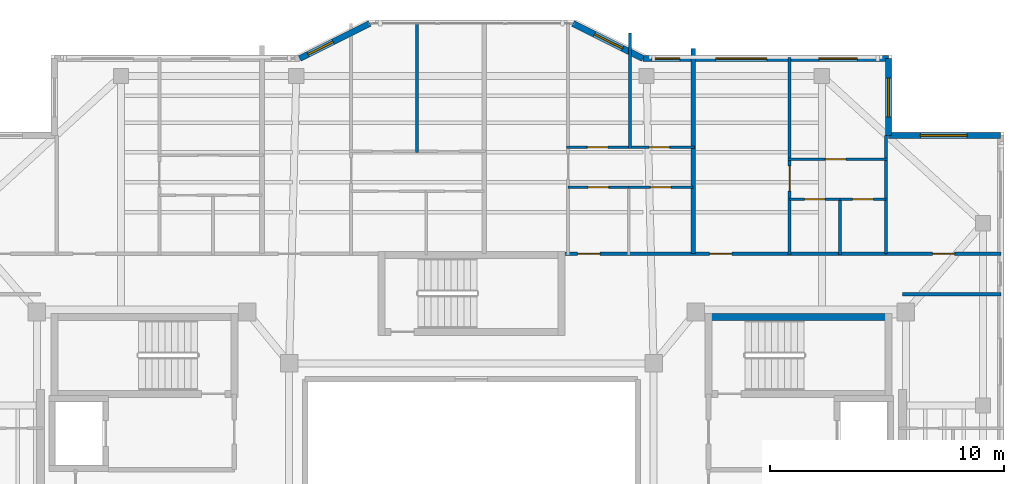
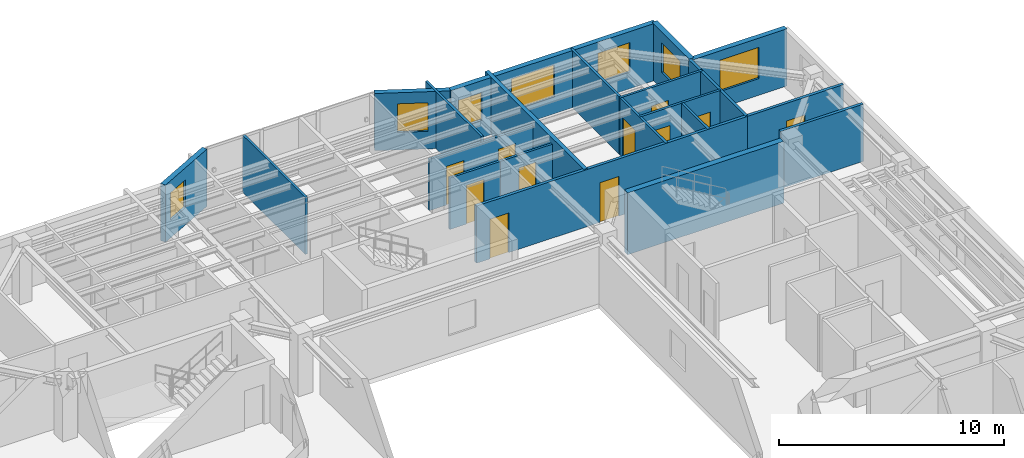
# One storey, part 11 of 15: 21 walls, 11 doors, 7 windows, 18 openings.
"""IFC4 building model written with IfcOpenShell, lengths in metres."""

from ifc_helpers import new_model, si_unit, direction, frame, frame_2d, origin, place, context, subcontext, project, spatial, rectangle, extrude, material, layer, layer_set, type_object, element, fill, save


model = new_model("IFC4")

# Units and contexts
model_context = context("Model", 3, precision=1e-05, world=origin(), true_north=direction((0.0, 1.0)))
body_context = subcontext(model_context, "Body", "Model", "MODEL_VIEW")
ifc_project = project(units=[si_unit("LENGTHUNIT", "METRE"), si_unit("AREAUNIT", "SQUARE_METRE"), si_unit("VOLUMEUNIT", "CUBIC_METRE"), si_unit("PLANEANGLEUNIT", "RADIAN"), si_unit("MASSUNIT", "GRAM", prefix="KILO")], contexts=[model_context])

# Site, building, storey
site_placement = place(None, origin())
site = spatial("IfcSite", under=ifc_project, at=site_placement, CompositionType="ELEMENT")
building_placement = place(site_placement, origin())
building = spatial("IfcBuilding", under=site, at=building_placement, Name="Tarnavaz Court Tower", CompositionType="ELEMENT")
storey_placement = place(building_placement, frame((0.0, 0.0, 244.85009765625)))
storey = spatial("IfcBuildingStorey", under=building, at=storey_placement, Name="L66", CompositionType="ELEMENT", Elevation=244.85009765625)

# Wall
ifc_material_1 = material(Name="Concrete C50/60", Category="concrete")
ifc_layer_1 = layer(ifc_material_1, 0.300048828125)
ifc_layer_set_1 = layer_set([ifc_layer_1], Name="Concrete C50/60")
wall_type_1 = type_object("IfcWallType", Name="WL-CORE-300-C50", PredefinedType="SHEAR", material=ifc_layer_set_1)
wall_1_placement = place(storey_placement, frame((10.0, 9.7900390625, 0.0), z_axis=(0.0, 0.0, 1.0), x_axis=(1.0, 0.0, 0.0)))
element("IfcWall", 1, at=wall_1_placement, inside=storey, type_object=wall_type_1, Name="L66 East Stair Core Wall 005", PredefinedType="SHEAR", context=body_context, shape_type="SweptSolid", body=[
    extrude(rectangle(XDim=8.0, YDim=0.300048828125, at=frame_2d((4.0, 0.0))), origin(), (0.0, 0.0, 1.0), 3.349853515625),
])

# Wall, opening, window
ifc_material_2 = material(Name="Precast Concrete C40/50", Category="concrete")
ifc_layer_2 = layer(ifc_material_2, 0.260009765625)
ifc_layer_set_2 = layer_set([ifc_layer_2], Name="Precast Concrete C40/50")
wall_type_2 = type_object("IfcWallType", Name="WL-EXT-260", PredefinedType="SOLIDWALL", material=ifc_layer_set_2)
wall_2_placement = place(storey_placement, frame((-7.35009765625, 20.85009765625, 0.0), z_axis=(0.0, 0.0, 1.0), x_axis=(0.894427191, 0.4472135955, 0.0)))
wall_2 = element("IfcWall", 2, at=wall_2_placement, inside=storey, type_object=wall_type_2, Name="L66 Exterior Terracotta Facade Wall 06", PredefinedType="SOLIDWALL", context=body_context, shape_type="SweptSolid", body=[
    extrude(rectangle(XDim=3.35400390625, YDim=0.260009765625, at=frame_2d((1.677001953125, 0.0))), origin(), (0.0, 0.0, 1.0), 3.099853515625),
])
opening_1_placement = place(wall_2_placement, frame((0.401123046875, 0.0, 0.949951171875)))
opening_1 = element("IfcOpeningElement", 3, at=opening_1_placement, cuts=wall_2, Name="Opening W05", PredefinedType="OPENING", context=body_context, shape_type="SweptSolid", body=[
    extrude(rectangle(XDim=1.199951171875, YDim=1.5, at=frame_2d((0.60009765625, 0.75))), frame((0.0, 0.139892578125, 0.0), z_axis=(0.0, -1.0, 0.0), x_axis=(1.0, 0.0, 0.0)), (0.0, 0.0, 1.0), 0.280029296875),
])
ifc_material_3 = material(Name="Double-Glazed Solar Low-E Glass", Category="glass")
window_type_1 = type_object("IfcWindowType", Name="WN-APT-1200", PartitioningType="SINGLE_PANEL", PredefinedType="WINDOW", material=ifc_material_3)
window_1_placement = place(opening_1_placement, origin())
window_1 = element("IfcWindow", 4, at=window_1_placement, inside=storey, type_object=window_type_1, Name="L66 Flat 02 Living and Dining Room Window", OverallHeight=1.5, OverallWidth=1.199951171875, PartitioningType="SINGLE_PANEL", PredefinedType="WINDOW", context=body_context, shape_type="SweptSolid", body=[
    extrude(rectangle(XDim=1.199951171875, YDim=1.5, at=frame_2d((0.60009765625, 0.75))), frame((0.0, 0.030029296875, 0.0), z_axis=(0.0, -1.0, 0.0), x_axis=(1.0, 0.0, 0.0)), (0.0, 0.0, 1.0), 0.06005859375),
])
fill(opening_1, window_1)

wall_3_placement = place(storey_placement, frame((4.35009765625, 22.35009765625, 0.0), z_axis=(0.0, 0.0, 1.0), x_axis=(0.894427191, -0.4472135955, 0.0)))
wall_3 = element("IfcWall", 5, at=wall_3_placement, inside=storey, type_object=wall_type_2, Name="L66 Exterior Terracotta Facade Wall 08", PredefinedType="SOLIDWALL", context=body_context, shape_type="SweptSolid", body=[
    extrude(rectangle(XDim=3.35400390625, YDim=0.260009765625, at=frame_2d((1.677001953125, 0.0))), origin(), (0.0, 0.0, 1.0), 3.099853515625),
])
opening_2_placement = place(wall_3_placement, frame((1.027099609375, 0.0, 0.949951171875)))
opening_2 = element("IfcOpeningElement", 6, at=opening_2_placement, cuts=wall_3, Name="Opening W04", PredefinedType="OPENING", context=body_context, shape_type="SweptSolid", body=[
    extrude(rectangle(XDim=1.35009765625, YDim=1.550048828125, at=frame_2d((0.675048828125, 0.77490234375))), frame((0.0, 0.139892578125, 0.0), z_axis=(0.0, -1.0, 0.0), x_axis=(1.0, 0.0, 0.0)), (0.0, 0.0, 1.0), 0.280029296875),
])
window_type_2 = type_object("IfcWindowType", Name="WN-APT-1350", PartitioningType="SINGLE_PANEL", PredefinedType="WINDOW", material=ifc_material_3)
window_2_placement = place(opening_2_placement, origin())
window_2 = element("IfcWindow", 7, at=window_2_placement, inside=storey, type_object=window_type_2, Name="L66 Flat 03 Principal Bedroom Window", OverallHeight=1.550048828125, OverallWidth=1.35009765625, PartitioningType="SINGLE_PANEL", PredefinedType="WINDOW", context=body_context, shape_type="SweptSolid", body=[
    extrude(rectangle(XDim=1.35009765625, YDim=1.550048828125, at=frame_2d((0.675048828125, 0.77490234375))), frame((0.0, 0.030029296875, 0.0), z_axis=(0.0, -1.0, 0.0), x_axis=(1.0, 0.0, 0.0)), (0.0, 0.0, 1.0), 0.06005859375),
])
fill(opening_2, window_2)

# Wall, openings, windows
wall_4_placement = place(storey_placement, frame((7.35009765625, 20.85009765625, 0.0), z_axis=(0.0, 0.0, 1.0), x_axis=(1.0, 0.0, 0.0)))
wall_4 = element("IfcWall", 8, at=wall_4_placement, inside=storey, type_object=wall_type_2, Name="L66 Exterior Terracotta Facade Wall 09", PredefinedType="SOLIDWALL", context=body_context, shape_type="SweptSolid", body=[
    extrude(rectangle(XDim=10.5, YDim=0.260009765625, at=frame_2d((5.25, 0.0))), origin(), (0.0, 0.0, 1.0), 3.099853515625),
])
opening_3_placement = place(wall_4_placement, frame((0.3720703125, 0.0, 0.949951171875)))
opening_3 = element("IfcOpeningElement", 9, at=opening_3_placement, cuts=wall_4, Name="Opening W05", PredefinedType="OPENING", context=body_context, shape_type="SweptSolid", body=[
    extrude(rectangle(XDim=1.199951171875, YDim=1.5, at=frame_2d((0.60009765625, 0.75))), frame((0.0, 0.139892578125, 0.0), z_axis=(0.0, -1.0, 0.0), x_axis=(1.0, 0.0, 0.0)), (0.0, 0.0, 1.0), 0.280029296875),
])
opening_4_placement = place(wall_4_placement, frame((3.10009765625, 0.0, 0.89990234375)))
opening_4 = element("IfcOpeningElement", 10, at=opening_4_placement, cuts=wall_4, Name="Opening W07", PredefinedType="OPENING", context=body_context, shape_type="SweptSolid", body=[
    extrude(rectangle(XDim=2.199951171875, YDim=1.75, at=frame_2d((1.10009765625, 0.875))), frame((0.0, 0.139892578125, 0.0), z_axis=(0.0, -1.0, 0.0), x_axis=(1.0, 0.0, 0.0)), (0.0, 0.0, 1.0), 0.280029296875),
])
opening_5_placement = place(wall_4_placement, frame((7.52490234375, 0.0, 0.89990234375)))
opening_5 = element("IfcOpeningElement", 11, at=opening_5_placement, cuts=wall_4, Name="Opening W02", PredefinedType="OPENING", context=body_context, shape_type="SweptSolid", body=[
    extrude(rectangle(XDim=1.64990234375, YDim=1.60009765625, at=frame_2d((0.824951171875, 0.800048828125))), frame((0.0, 0.139892578125, 0.0), z_axis=(0.0, -1.0, 0.0), x_axis=(1.0, 0.0, 0.0)), (0.0, 0.0, 1.0), 0.280029296875),
])
window_3_placement = place(opening_3_placement, origin())
window_3 = element("IfcWindow", 12, at=window_3_placement, inside=storey, type_object=window_type_1, Name="L66 Flat 03 Bedroom 2 Window", OverallHeight=1.5, OverallWidth=1.199951171875, PartitioningType="SINGLE_PANEL", PredefinedType="WINDOW", context=body_context, shape_type="SweptSolid", body=[
    extrude(rectangle(XDim=1.199951171875, YDim=1.5, at=frame_2d((0.60009765625, 0.75))), frame((0.0, 0.030029296875, 0.0), z_axis=(0.0, -1.0, 0.0), x_axis=(1.0, 0.0, 0.0)), (0.0, 0.0, 1.0), 0.06005859375),
])
fill(opening_3, window_3)
window_type_3 = type_object("IfcWindowType", Name="WN-APT-1650", PartitioningType="DOUBLE_PANEL_VERTICAL", PredefinedType="WINDOW", material=ifc_material_3)
window_4_placement = place(opening_5_placement, origin())
window_4 = element("IfcWindow", 13, at=window_4_placement, inside=storey, type_object=window_type_3, Name="L66 Flat 04 Bedroom 1 Window", OverallHeight=1.60009765625, OverallWidth=1.64990234375, PartitioningType="SINGLE_PANEL", PredefinedType="WINDOW", context=body_context, shape_type="SweptSolid", body=[
    extrude(rectangle(XDim=1.64990234375, YDim=1.60009765625, at=frame_2d((0.824951171875, 0.800048828125))), frame((0.0, 0.030029296875, 0.0), z_axis=(0.0, -1.0, 0.0), x_axis=(1.0, 0.0, 0.0)), (0.0, 0.0, 1.0), 0.06005859375),
])
fill(opening_5, window_4)
window_type_4 = type_object("IfcWindowType", Name="WN-APT-2200", PartitioningType="TRIPLE_PANEL_VERTICAL", PredefinedType="WINDOW", material=ifc_material_3)
window_5_placement = place(opening_4_placement, origin())
window_5 = element("IfcWindow", 14, at=window_5_placement, inside=storey, type_object=window_type_4, Name="L66 Flat 04 Living and Dining Room Window", OverallHeight=1.75, OverallWidth=2.199951171875, PartitioningType="SINGLE_PANEL", PredefinedType="WINDOW", context=body_context, shape_type="SweptSolid", body=[
    extrude(rectangle(XDim=2.199951171875, YDim=1.75, at=frame_2d((1.10009765625, 0.875))), frame((0.0, 0.030029296875, 0.0), z_axis=(0.0, -1.0, 0.0), x_axis=(1.0, 0.0, 0.0)), (0.0, 0.0, 1.0), 0.06005859375),
])
fill(opening_4, window_5)

# Wall, opening, window
wall_5_placement = place(storey_placement, frame((17.85009765625, 20.85009765625, 0.0), z_axis=(0.0, 0.0, 1.0), x_axis=(0.0, -1.0, 0.0)))
wall_5 = element("IfcWall", 15, at=wall_5_placement, inside=storey, type_object=wall_type_2, Name="L66 Exterior Terracotta Facade Wall 10", PredefinedType="SOLIDWALL", context=body_context, shape_type="SweptSolid", body=[
    extrude(rectangle(XDim=3.300048828125, YDim=0.260009765625, at=frame_2d((1.64990234375, 0.0))), origin(), (0.0, 0.0, 1.0), 3.099853515625),
])
opening_6_placement = place(wall_5_placement, frame((0.842529296875, 0.0, 0.89990234375)))
opening_6 = element("IfcOpeningElement", 16, at=opening_6_placement, cuts=wall_5, Name="Opening W02", PredefinedType="OPENING", context=body_context, shape_type="SweptSolid", body=[
    extrude(rectangle(XDim=1.64990234375, YDim=1.60009765625, at=frame_2d((0.824951171875, 0.800048828125))), frame((0.0, 0.139892578125, 0.0), z_axis=(0.0, -1.0, 0.0), x_axis=(1.0, 0.0, 0.0)), (0.0, 0.0, 1.0), 0.280029296875),
])
window_6_placement = place(opening_6_placement, origin())
window_6 = element("IfcWindow", 17, at=window_6_placement, inside=storey, type_object=window_type_3, Name="L66 Flat 04 Bedroom 1 Window", OverallHeight=1.60009765625, OverallWidth=1.64990234375, PartitioningType="SINGLE_PANEL", PredefinedType="WINDOW", context=body_context, shape_type="SweptSolid", body=[
    extrude(rectangle(XDim=1.64990234375, YDim=1.60009765625, at=frame_2d((0.824951171875, 0.800048828125))), frame((0.0, 0.030029296875, 0.0), z_axis=(0.0, -1.0, 0.0), x_axis=(1.0, 0.0, 0.0)), (0.0, 0.0, 1.0), 0.06005859375),
])
fill(opening_6, window_6)

wall_6_placement = place(storey_placement, frame((17.85009765625, 17.550048828125, 0.0), z_axis=(0.0, 0.0, 1.0), x_axis=(1.0, 0.0, 0.0)))
wall_6 = element("IfcWall", 18, at=wall_6_placement, inside=storey, type_object=wall_type_2, Name="L66 Exterior Terracotta Facade Wall 11", PredefinedType="SOLIDWALL", context=body_context, shape_type="SweptSolid", body=[
    extrude(rectangle(XDim=4.7998046875, YDim=0.260009765625, at=frame_2d((2.39990234375, 0.0))), origin(), (0.0, 0.0, 1.0), 3.099853515625),
])
opening_7_placement = place(wall_6_placement, frame((1.374755859375, 0.0, 0.89990234375)))
opening_7 = element("IfcOpeningElement", 19, at=opening_7_placement, cuts=wall_6, Name="Opening W08", PredefinedType="OPENING", context=body_context, shape_type="SweptSolid", body=[
    extrude(rectangle(XDim=2.0, YDim=1.699951171875, at=frame_2d((1.0, 0.85009765625))), frame((0.0, 0.139892578125, 0.0), z_axis=(0.0, -1.0, 0.0), x_axis=(1.0, 0.0, 0.0)), (0.0, 0.0, 1.0), 0.280029296875),
])
window_type_5 = type_object("IfcWindowType", Name="WN-APT-2000", PartitioningType="DOUBLE_PANEL_VERTICAL", PredefinedType="WINDOW", material=ifc_material_3)
window_7_placement = place(opening_7_placement, origin())
window_7 = element("IfcWindow", 20, at=window_7_placement, inside=storey, type_object=window_type_5, Name="L66 North-East Corner Sunroom Study Window", OverallHeight=1.699951171875, OverallWidth=2.0, PartitioningType="SINGLE_PANEL", PredefinedType="WINDOW", context=body_context, shape_type="SweptSolid", body=[
    extrude(rectangle(XDim=2.0, YDim=1.699951171875, at=frame_2d((1.0, 0.85009765625))), frame((0.0, 0.030029296875, 0.0), z_axis=(0.0, -1.0, 0.0), x_axis=(1.0, 0.0, 0.0)), (0.0, 0.0, 1.0), 0.06005859375),
])
fill(opening_7, window_7)

# Wall, openings, doors
ifc_material_4 = material(Name="Gypsum Fire-Board on Acoustic Metal Stud", Category="masonry")
ifc_layer_3 = layer(ifc_material_4, 0.14990234375)
ifc_layer_set_3 = layer_set([ifc_layer_3], Name="Gypsum Fire-Board on Acoustic Metal Stud")
wall_type_3 = type_object("IfcWallType", Name="WL-FIRE-150", PredefinedType="PARTITIONING", material=ifc_layer_set_3)
wall_7_placement = place(storey_placement, frame((3.85009765625, 12.5, 0.0), z_axis=(0.0, 0.0, 1.0), x_axis=(1.0, 0.0, 0.0)))
wall_7 = element("IfcWall", 21, at=wall_7_placement, inside=storey, type_object=wall_type_3, Name="L66 NE Wing Corridor Wall 058", PredefinedType="PARTITIONING", context=body_context, shape_type="SweptSolid", body=[
    extrude(rectangle(XDim=13.89990234375, YDim=0.14990234375, at=frame_2d((6.949951171875, 0.0))), origin(), (0.0, 0.0, 1.0), 3.099853515625),
])
opening_8_placement = place(wall_7_placement, frame((0.699951171875, 0.0, 0.0)))
opening_8 = element("IfcOpeningElement", 22, at=opening_8_placement, cuts=wall_7, Name="Opening D06", PredefinedType="OPENING", context=body_context, shape_type="SweptSolid", body=[
    extrude(rectangle(XDim=0.9599609375, YDim=2.14990234375, at=frame_2d((0.47998046875, 1.074951171875))), frame((0.0, 0.0849609375, 0.0), z_axis=(0.0, -1.0, 0.0), x_axis=(1.0, 0.0, 0.0)), (0.0, 0.0, 1.0), 0.169921875),
])
opening_9_placement = place(wall_7_placement, frame((6.343994140625, 0.0, 0.0)))
opening_9 = element("IfcOpeningElement", 23, at=opening_9_placement, cuts=wall_7, Name="Opening D06", PredefinedType="OPENING", context=body_context, shape_type="SweptSolid", body=[
    extrude(rectangle(XDim=0.9599609375, YDim=2.14990234375, at=frame_2d((0.47998046875, 1.074951171875))), frame((0.0, 0.0849609375, 0.0), z_axis=(0.0, -1.0, 0.0), x_axis=(1.0, 0.0, 0.0)), (0.0, 0.0, 1.0), 0.169921875),
])
ifc_material_5 = material(Name="Fire-Rated Hardwood Timber Core", Category="wood")
door_type_1 = type_object("IfcDoorType", Name="DR-FD60-950", OperationType="NOTDEFINED", PredefinedType="DOOR", material=ifc_material_5)
door_1_placement = place(opening_8_placement, origin())
door_1 = element("IfcDoor", 24, at=door_1_placement, inside=storey, type_object=door_type_1, Name="L66 Flat 03 Entrance Door", OperationType="SINGLE_SWING_RIGHT", OverallHeight=2.14990234375, OverallWidth=0.9599609375, PredefinedType="DOOR", context=body_context, shape_type="SweptSolid", body=[
    extrude(rectangle(XDim=0.9599609375, YDim=2.14990234375, at=frame_2d((0.47998046875, 1.074951171875))), frame((0.0, 0.02490234375, 0.0), z_axis=(0.0, -1.0, 0.0), x_axis=(1.0, 0.0, 0.0)), (0.0, 0.0, 1.0), 0.050048828125),
])
fill(opening_8, door_1)
door_2_placement = place(opening_9_placement, origin())
door_2 = element("IfcDoor", 25, at=door_2_placement, inside=storey, type_object=door_type_1, Name="L66 Flat 04 Entrance Door", OperationType="SINGLE_SWING_RIGHT", OverallHeight=2.14990234375, OverallWidth=0.9599609375, PredefinedType="DOOR", context=body_context, shape_type="SweptSolid", body=[
    extrude(rectangle(XDim=0.9599609375, YDim=2.14990234375, at=frame_2d((0.47998046875, 1.074951171875))), frame((0.0, 0.02490234375, 0.0), z_axis=(0.0, -1.0, 0.0), x_axis=(1.0, 0.0, 0.0)), (0.0, 0.0, 1.0), 0.050048828125),
])
fill(opening_9, door_2)

# Wall
wall_8_placement = place(storey_placement, frame((18.449951171875, 10.75, 0.0), z_axis=(0.0, 0.0, 1.0), x_axis=(1.0, 0.0, 0.0)))
element("IfcWall", 26, at=wall_8_placement, inside=storey, type_object=wall_type_3, Name="L66 Interior Partition 111", PredefinedType="PARTITIONING", context=body_context, shape_type="SweptSolid", body=[
    extrude(rectangle(XDim=4.22998046875, YDim=0.14990234375, at=frame_2d((2.114990234375, 0.0))), origin(), (0.0, 0.0, 1.0), 3.099853515625),
])

# Wall, opening, door
wall_9_placement = place(storey_placement, frame((17.75, 12.5, 0.0), z_axis=(0.0, 0.0, 1.0), x_axis=(1.0, 0.0, 0.0)))
wall_9 = element("IfcWall", 27, at=wall_9_placement, inside=storey, type_object=wall_type_3, Name="L66 Interior Partition 117", PredefinedType="PARTITIONING", context=body_context, shape_type="SweptSolid", body=[
    extrude(rectangle(XDim=4.929931640625, YDim=0.14990234375, at=frame_2d((2.46484375, 0.0))), origin(), (0.0, 0.0, 1.0), 3.099853515625),
])
opening_10_placement = place(wall_9_placement, frame((1.989990234375, 0.0, 0.0)))
opening_10 = element("IfcOpeningElement", 28, at=opening_10_placement, cuts=wall_9, Name="Opening D13", PredefinedType="OPENING", context=body_context, shape_type="SweptSolid", body=[
    extrude(rectangle(XDim=0.949951171875, YDim=2.14990234375, at=frame_2d((0.47509765625, 1.074951171875))), frame((0.0, 0.0849609375, 0.0), z_axis=(0.0, -1.0, 0.0), x_axis=(1.0, 0.0, 0.0)), (0.0, 0.0, 1.0), 0.169921875),
])
ifc_material_6 = material(Name="Engineered Oak Timber", Category="wood")
door_type_2 = type_object("IfcDoorType", Name="DR-INT-950", OperationType="NOTDEFINED", PredefinedType="DOOR", material=ifc_material_6)
door_3_placement = place(opening_10_placement, origin())
door_3 = element("IfcDoor", 29, at=door_3_placement, inside=storey, type_object=door_type_2, Name="L66 NE Sunroom Door", OperationType="SINGLE_SWING_LEFT", OverallHeight=2.14990234375, OverallWidth=0.949951171875, PredefinedType="DOOR", context=body_context, shape_type="SweptSolid", body=[
    extrude(rectangle(XDim=0.949951171875, YDim=2.14990234375, at=frame_2d((0.47509765625, 1.074951171875))), frame((0.0, 0.02490234375, 0.0), z_axis=(0.0, -1.0, 0.0), x_axis=(1.0, 0.0, 0.0)), (0.0, 0.0, 1.0), 0.050048828125),
])
fill(opening_10, door_3)

# Walls
ifc_material_7 = material(Name="Autoclaved Aerated Concrete Blockwork", Category="masonry")
ifc_layer_4 = layer(ifc_material_7, 0.199951171875)
ifc_layer_set_4 = layer_set([ifc_layer_4], Name="Autoclaved Aerated Concrete Blockwork")
wall_type_4 = type_object("IfcWallType", Name="WL-FIRE-200", PredefinedType="SOLIDWALL", material=ifc_layer_set_4)
wall_10_placement = place(storey_placement, frame((9.493896484375, 12.5, 0.0), z_axis=(0.0, 0.0, 1.0), x_axis=(0.0, 1.0, 0.0)))
element("IfcWall", 30, at=wall_10_placement, inside=storey, type_object=wall_type_4, Name="L66 Party Wall 074", PredefinedType="SOLIDWALL", context=body_context, shape_type="SweptSolid", body=[
    extrude(rectangle(XDim=8.77099609375, YDim=0.199951171875, at=frame_2d((4.385498046875, 0.0))), origin(), (0.0, 0.0, 1.0), 3.099853515625),
])
ifc_material_8 = material(Name="Moisture-Resistant Gypsum Board Partition", Category="masonry")
ifc_layer_5 = layer(ifc_material_8, 0.1201171875)
ifc_layer_set_5 = layer_set([ifc_layer_5], Name="Moisture-Resistant Gypsum Board Partition")
wall_type_5 = type_object("IfcWallType", Name="WL-PART-120", PredefinedType="PARTITIONING", material=ifc_layer_set_5)
wall_11_placement = place(storey_placement, frame((-2.3291015625, 16.820068359375, 0.0), z_axis=(0.0, 0.0, 1.0), x_axis=(0.0, 1.0, 0.0)))
element("IfcWall", 31, at=wall_11_placement, inside=storey, type_object=wall_type_5, Name="L66 Interior Partition 073", PredefinedType="PARTITIONING", context=body_context, shape_type="SweptSolid", body=[
    extrude(rectangle(XDim=5.559814453125, YDim=0.1201171875, at=frame_2d((2.77978515625, 0.0))), origin(), (0.0, 0.0, 1.0), 3.099853515625),
])

# Wall, opening, door
wall_12_placement = place(storey_placement, frame((4.139892578125, 15.340087890625, 0.0), z_axis=(0.0, 0.0, 1.0), x_axis=(1.0, 0.0, 0.0)))
wall_12 = element("IfcWall", 32, at=wall_12_placement, inside=storey, type_object=wall_type_5, Name="L66 Interior Partition 076", PredefinedType="PARTITIONING", context=body_context, shape_type="SweptSolid", body=[
    extrude(rectangle(XDim=2.593994140625, YDim=0.1201171875, at=frame_2d((1.296875, 0.0))), origin(), (0.0, 0.0, 1.0), 2.784912109375),
])
opening_11_placement = place(wall_12_placement, frame((0.85693359375, 0.0, 0.0)))
opening_11 = element("IfcOpeningElement", 33, at=opening_11_placement, cuts=wall_12, Name="Opening D14", PredefinedType="OPENING", context=body_context, shape_type="SweptSolid", body=[
    extrude(rectangle(XDim=0.8798828125, YDim=2.10009765625, at=frame_2d((0.43994140625, 1.050048828125))), frame((0.0, 0.070068359375, 0.0), z_axis=(0.0, -1.0, 0.0), x_axis=(1.0, 0.0, 0.0)), (0.0, 0.0, 1.0), 0.14013671875),
])
door_type_3 = type_object("IfcDoorType", Name="DR-INT-900", OperationType="NOTDEFINED", PredefinedType="DOOR", material=ifc_material_6)
door_4_placement = place(opening_11_placement, origin())
door_4 = element("IfcDoor", 34, at=door_4_placement, inside=storey, type_object=door_type_3, Name="L66 Flat 03 Kitchen Door", OperationType="SINGLE_SWING_RIGHT", OverallHeight=2.10009765625, OverallWidth=0.8798828125, PredefinedType="DOOR", context=body_context, shape_type="SweptSolid", body=[
    extrude(rectangle(XDim=0.8798828125, YDim=2.10009765625, at=frame_2d((0.43994140625, 1.050048828125))), frame((0.0, 0.02490234375, 0.0), z_axis=(0.0, -1.0, 0.0), x_axis=(1.0, 0.0, 0.0)), (0.0, 0.0, 1.0), 0.050048828125),
])
fill(opening_11, door_4)

wall_13_placement = place(storey_placement, frame((6.73388671875, 15.340087890625, 0.0), z_axis=(0.0, 0.0, 1.0), x_axis=(1.0, 0.0, 0.0)))
wall_13 = element("IfcWall", 35, at=wall_13_placement, inside=storey, type_object=wall_type_5, Name="L66 Interior Partition 077", PredefinedType="PARTITIONING", context=body_context, shape_type="SweptSolid", body=[
    extrude(rectangle(XDim=2.760009765625, YDim=0.1201171875, at=frame_2d((1.3798828125, 0.0))), origin(), (0.0, 0.0, 1.0), 2.784912109375),
])
opening_12_placement = place(wall_13_placement, frame((0.93994140625, 0.0, 0.0)))
opening_12 = element("IfcOpeningElement", 36, at=opening_12_placement, cuts=wall_13, Name="Opening D14", PredefinedType="OPENING", context=body_context, shape_type="SweptSolid", body=[
    extrude(rectangle(XDim=0.8798828125, YDim=2.10009765625, at=frame_2d((0.43994140625, 1.050048828125))), frame((0.0, 0.070068359375, 0.0), z_axis=(0.0, -1.0, 0.0), x_axis=(1.0, 0.0, 0.0)), (0.0, 0.0, 1.0), 0.14013671875),
])
door_5_placement = place(opening_12_placement, origin())
door_5 = element("IfcDoor", 37, at=door_5_placement, inside=storey, type_object=door_type_3, Name="L66 Flat 03 Bathroom Door", OperationType="SINGLE_SWING_LEFT", OverallHeight=2.10009765625, OverallWidth=0.8798828125, PredefinedType="DOOR", context=body_context, shape_type="SweptSolid", body=[
    extrude(rectangle(XDim=0.8798828125, YDim=2.10009765625, at=frame_2d((0.43994140625, 1.050048828125))), frame((0.0, 0.02490234375, 0.0), z_axis=(0.0, -1.0, 0.0), x_axis=(1.0, 0.0, 0.0)), (0.0, 0.0, 1.0), 0.050048828125),
])
fill(opening_12, door_5)

# Wall, openings, doors
wall_14_placement = place(storey_placement, frame((4.080078125, 17.050048828125, 0.0), z_axis=(0.0, 0.0, 1.0), x_axis=(1.0, 0.0, 0.0)))
wall_14 = element("IfcWall", 38, at=wall_14_placement, inside=storey, type_object=wall_type_5, Name="L66 Interior Partition 078", PredefinedType="PARTITIONING", context=body_context, shape_type="SweptSolid", body=[
    extrude(rectangle(XDim=5.473876953125, YDim=0.1201171875, at=frame_2d((2.73681640625, 0.0))), origin(), (0.0, 0.0, 1.0), 2.784912109375),
])
opening_13_placement = place(wall_14_placement, frame((0.883056640625, 0.0, 0.0)))
opening_13 = element("IfcOpeningElement", 39, at=opening_13_placement, cuts=wall_14, Name="Opening D14", PredefinedType="OPENING", context=body_context, shape_type="SweptSolid", body=[
    extrude(rectangle(XDim=0.8798828125, YDim=2.10009765625, at=frame_2d((0.43994140625, 1.050048828125))), frame((0.0, 0.070068359375, 0.0), z_axis=(0.0, -1.0, 0.0), x_axis=(1.0, 0.0, 0.0)), (0.0, 0.0, 1.0), 0.14013671875),
])
opening_14_placement = place(wall_14_placement, frame((3.530029296875, 0.0, 0.0)))
opening_14 = element("IfcOpeningElement", 40, at=opening_14_placement, cuts=wall_14, Name="Opening D14", PredefinedType="OPENING", context=body_context, shape_type="SweptSolid", body=[
    extrude(rectangle(XDim=0.8798828125, YDim=2.10009765625, at=frame_2d((0.43994140625, 1.050048828125))), frame((0.0, 0.070068359375, 0.0), z_axis=(0.0, -1.0, 0.0), x_axis=(1.0, 0.0, 0.0)), (0.0, 0.0, 1.0), 0.14013671875),
])
door_6_placement = place(opening_13_placement, origin())
door_6 = element("IfcDoor", 41, at=door_6_placement, inside=storey, type_object=door_type_3, Name="L66 Flat 03 Bedroom 1 Door", OperationType="SINGLE_SWING_RIGHT", OverallHeight=2.10009765625, OverallWidth=0.8798828125, PredefinedType="DOOR", context=body_context, shape_type="SweptSolid", body=[
    extrude(rectangle(XDim=0.8798828125, YDim=2.10009765625, at=frame_2d((0.43994140625, 1.050048828125))), frame((0.0, 0.02490234375, 0.0), z_axis=(0.0, -1.0, 0.0), x_axis=(1.0, 0.0, 0.0)), (0.0, 0.0, 1.0), 0.050048828125),
])
fill(opening_13, door_6)
door_7_placement = place(opening_14_placement, origin())
door_7 = element("IfcDoor", 42, at=door_7_placement, inside=storey, type_object=door_type_3, Name="L66 Flat 03 Bedroom 2 Door", OperationType="SINGLE_SWING_LEFT", OverallHeight=2.10009765625, OverallWidth=0.8798828125, PredefinedType="DOOR", context=body_context, shape_type="SweptSolid", body=[
    extrude(rectangle(XDim=0.8798828125, YDim=2.10009765625, at=frame_2d((0.43994140625, 1.050048828125))), frame((0.0, 0.02490234375, 0.0), z_axis=(0.0, -1.0, 0.0), x_axis=(1.0, 0.0, 0.0)), (0.0, 0.0, 1.0), 0.050048828125),
])
fill(opening_14, door_7)

# Wall
wall_15_placement = place(storey_placement, frame((6.787109375, 16.989990234375, 0.0), z_axis=(0.0, 0.0, 1.0), x_axis=(0.0, 1.0, 0.0)))
element("IfcWall", 43, at=wall_15_placement, inside=storey, type_object=wall_type_5, Name="L66 Interior Partition 080", PredefinedType="PARTITIONING", context=body_context, shape_type="SweptSolid", body=[
    extrude(rectangle(XDim=4.948974609375, YDim=0.1201171875, at=frame_2d((2.474609375, 0.0))), origin(), (0.0, 0.0, 1.0), 3.099853515625),
])

# Wall, opening, door
wall_16_placement = place(storey_placement, frame((13.6220703125, 12.43994140625, 0.0), z_axis=(0.0, 0.0, 1.0), x_axis=(0.0, 1.0, 0.0)))
wall_16 = element("IfcWall", 44, at=wall_16_placement, inside=storey, type_object=wall_type_5, Name="L66 Interior Partition 081", PredefinedType="PARTITIONING", context=body_context, shape_type="SweptSolid", body=[
    extrude(rectangle(XDim=8.4599609375, YDim=0.1201171875, at=frame_2d((4.22998046875, 0.0))), origin(), (0.0, 0.0, 1.0), 3.099853515625),
])
opening_15_placement = place(wall_16_placement, frame((2.735107421875, 0.0, 0.0)))
opening_15 = element("IfcOpeningElement", 45, at=opening_15_placement, cuts=wall_16, Name="Opening D12", PredefinedType="OPENING", context=body_context, shape_type="SweptSolid", body=[
    extrude(rectangle(XDim=1.080078125, YDim=2.14990234375, at=frame_2d((0.5400390625, 1.074951171875))), frame((0.0, 0.070068359375, 0.0), z_axis=(0.0, -1.0, 0.0), x_axis=(1.0, 0.0, 0.0)), (0.0, 0.0, 1.0), 0.14013671875),
])
door_type_4 = type_object("IfcDoorType", Name="DR-INT-1100", OperationType="NOTDEFINED", PredefinedType="DOOR", material=ifc_material_6)
door_8_placement = place(opening_15_placement, origin())
door_8 = element("IfcDoor", 46, at=door_8_placement, inside=storey, type_object=door_type_4, Name="L66 Flat 04 Foyer Door", OperationType="SINGLE_SWING_LEFT", OverallHeight=2.14990234375, OverallWidth=1.080078125, PredefinedType="DOOR", context=body_context, shape_type="SweptSolid", body=[
    extrude(rectangle(XDim=1.080078125, YDim=2.14990234375, at=frame_2d((0.5400390625, 1.074951171875))), frame((0.0, 0.02490234375, 0.0), z_axis=(0.0, -1.0, 0.0), x_axis=(1.0, 0.0, 0.0)), (0.0, 0.0, 1.0), 0.050048828125),
])
fill(opening_15, door_8)

wall_17_placement = place(storey_placement, frame((13.6220703125, 14.830078125, 0.0), z_axis=(0.0, 0.0, 1.0), x_axis=(1.0, 0.0, 0.0)))
wall_17 = element("IfcWall", 47, at=wall_17_placement, inside=storey, type_object=wall_type_5, Name="L66 Interior Partition 082", PredefinedType="PARTITIONING", context=body_context, shape_type="SweptSolid", body=[
    extrude(rectangle(XDim=2.156005859375, YDim=0.1201171875, at=frame_2d((1.078125, 0.0))), origin(), (0.0, 0.0, 1.0), 3.099853515625),
])
opening_16_placement = place(wall_17_placement, frame((0.637939453125, 0.0, 0.0)))
opening_16 = element("IfcOpeningElement", 48, at=opening_16_placement, cuts=wall_17, Name="Opening D14", PredefinedType="OPENING", context=body_context, shape_type="SweptSolid", body=[
    extrude(rectangle(XDim=0.8798828125, YDim=2.10009765625, at=frame_2d((0.43994140625, 1.050048828125))), frame((0.0, 0.070068359375, 0.0), z_axis=(0.0, -1.0, 0.0), x_axis=(1.0, 0.0, 0.0)), (0.0, 0.0, 1.0), 0.14013671875),
])
door_9_placement = place(opening_16_placement, origin())
door_9 = element("IfcDoor", 49, at=door_9_placement, inside=storey, type_object=door_type_3, Name="L66 Flat 04 Kitchen Door", OperationType="SINGLE_SWING_RIGHT", OverallHeight=2.10009765625, OverallWidth=0.8798828125, PredefinedType="DOOR", context=body_context, shape_type="SweptSolid", body=[
    extrude(rectangle(XDim=0.8798828125, YDim=2.10009765625, at=frame_2d((0.43994140625, 1.050048828125))), frame((0.0, 0.02490234375, 0.0), z_axis=(0.0, -1.0, 0.0), x_axis=(1.0, 0.0, 0.0)), (0.0, 0.0, 1.0), 0.050048828125),
])
fill(opening_16, door_9)

wall_18_placement = place(storey_placement, frame((15.778076171875, 14.830078125, 0.0), z_axis=(0.0, 0.0, 1.0), x_axis=(1.0, 0.0, 0.0)))
wall_18 = element("IfcWall", 50, at=wall_18_placement, inside=storey, type_object=wall_type_5, Name="L66 Interior Partition 083", PredefinedType="PARTITIONING", context=body_context, shape_type="SweptSolid", body=[
    extrude(rectangle(XDim=1.971923828125, YDim=0.1201171875, at=frame_2d((0.98583984375, 0.0))), origin(), (0.0, 0.0, 1.0), 3.099853515625),
])
opening_17_placement = place(wall_18_placement, frame((0.5458984375, 0.0, 0.0)))
opening_17 = element("IfcOpeningElement", 51, at=opening_17_placement, cuts=wall_18, Name="Opening D14", PredefinedType="OPENING", context=body_context, shape_type="SweptSolid", body=[
    extrude(rectangle(XDim=0.8798828125, YDim=2.10009765625, at=frame_2d((0.43994140625, 1.050048828125))), frame((0.0, 0.070068359375, 0.0), z_axis=(0.0, -1.0, 0.0), x_axis=(1.0, 0.0, 0.0)), (0.0, 0.0, 1.0), 0.14013671875),
])
door_10_placement = place(opening_17_placement, origin())
door_10 = element("IfcDoor", 52, at=door_10_placement, inside=storey, type_object=door_type_3, Name="L66 Flat 04 Bathroom Door", OperationType="SINGLE_SWING_LEFT", OverallHeight=2.10009765625, OverallWidth=0.8798828125, PredefinedType="DOOR", context=body_context, shape_type="SweptSolid", body=[
    extrude(rectangle(XDim=0.8798828125, YDim=2.10009765625, at=frame_2d((0.43994140625, 1.050048828125))), frame((0.0, 0.02490234375, 0.0), z_axis=(0.0, -1.0, 0.0), x_axis=(1.0, 0.0, 0.0)), (0.0, 0.0, 1.0), 0.050048828125),
])
fill(opening_17, door_10)

wall_19_placement = place(storey_placement, frame((13.56201171875, 16.5400390625, 0.0), z_axis=(0.0, 0.0, 1.0), x_axis=(1.0, 0.0, 0.0)))
wall_19 = element("IfcWall", 53, at=wall_19_placement, inside=storey, type_object=wall_type_5, Name="L66 Interior Partition 084", PredefinedType="PARTITIONING", context=body_context, shape_type="SweptSolid", body=[
    extrude(rectangle(XDim=4.248046875, YDim=0.1201171875, at=frame_2d((2.1240234375, 0.0))), origin(), (0.0, 0.0, 1.0), 3.099853515625),
])
opening_18_placement = place(wall_19_placement, frame((1.593994140625, 0.0, 0.0)))
opening_18 = element("IfcOpeningElement", 54, at=opening_18_placement, cuts=wall_19, Name="Opening D14", PredefinedType="OPENING", context=body_context, shape_type="SweptSolid", body=[
    extrude(rectangle(XDim=0.8798828125, YDim=2.10009765625, at=frame_2d((0.43994140625, 1.050048828125))), frame((0.0, 0.070068359375, 0.0), z_axis=(0.0, -1.0, 0.0), x_axis=(1.0, 0.0, 0.0)), (0.0, 0.0, 1.0), 0.14013671875),
])
door_11_placement = place(opening_18_placement, origin())
door_11 = element("IfcDoor", 55, at=door_11_placement, inside=storey, type_object=door_type_3, Name="L66 Flat 04 Bedroom 1 Door", OperationType="SINGLE_SWING_RIGHT", OverallHeight=2.10009765625, OverallWidth=0.8798828125, PredefinedType="DOOR", context=body_context, shape_type="SweptSolid", body=[
    extrude(rectangle(XDim=0.8798828125, YDim=2.10009765625, at=frame_2d((0.43994140625, 1.050048828125))), frame((0.0, 0.02490234375, 0.0), z_axis=(0.0, -1.0, 0.0), x_axis=(1.0, 0.0, 0.0)), (0.0, 0.0, 1.0), 0.050048828125),
])
fill(opening_18, door_11)

# Walls
wall_20_placement = place(storey_placement, frame((15.778076171875, 12.43994140625, 0.0), z_axis=(0.0, 0.0, 1.0), x_axis=(0.0, 1.0, 0.0)))
element("IfcWall", 56, at=wall_20_placement, inside=storey, type_object=wall_type_5, Name="L66 Interior Partition 085", PredefinedType="PARTITIONING", context=body_context, shape_type="SweptSolid", body=[
    extrude(rectangle(XDim=2.449951171875, YDim=0.1201171875, at=frame_2d((1.22509765625, 0.0))), origin(), (0.0, 0.0, 1.0), 3.099853515625),
])
ifc_material_9 = material(Name="Gypsum Plasterboard Acoustic Partition", Category="masonry")
ifc_layer_6 = layer(ifc_material_9, 0.139892578125)
ifc_layer_set_6 = layer_set([ifc_layer_6], Name="Gypsum Plasterboard Acoustic Partition")
wall_type_6 = type_object("IfcWallType", Name="WL-PART-150", PredefinedType="PARTITIONING", material=ifc_layer_set_6)
wall_21_placement = place(storey_placement, frame((17.75, 12.5, 0.0), z_axis=(0.0, 0.0, 1.0), x_axis=(0.0, 1.0, 0.0)))
element("IfcWall", 57, at=wall_21_placement, inside=storey, type_object=wall_type_6, Name="L66 Interior Partition 115", PredefinedType="PARTITIONING", context=body_context, shape_type="SweptSolid", body=[
    extrude(rectangle(XDim=5.050048828125, YDim=0.139892578125, at=frame_2d((2.52490234375, 0.0))), origin(), (0.0, 0.0, 1.0), 3.099853515625),
])

save(model, "model.ifc")
